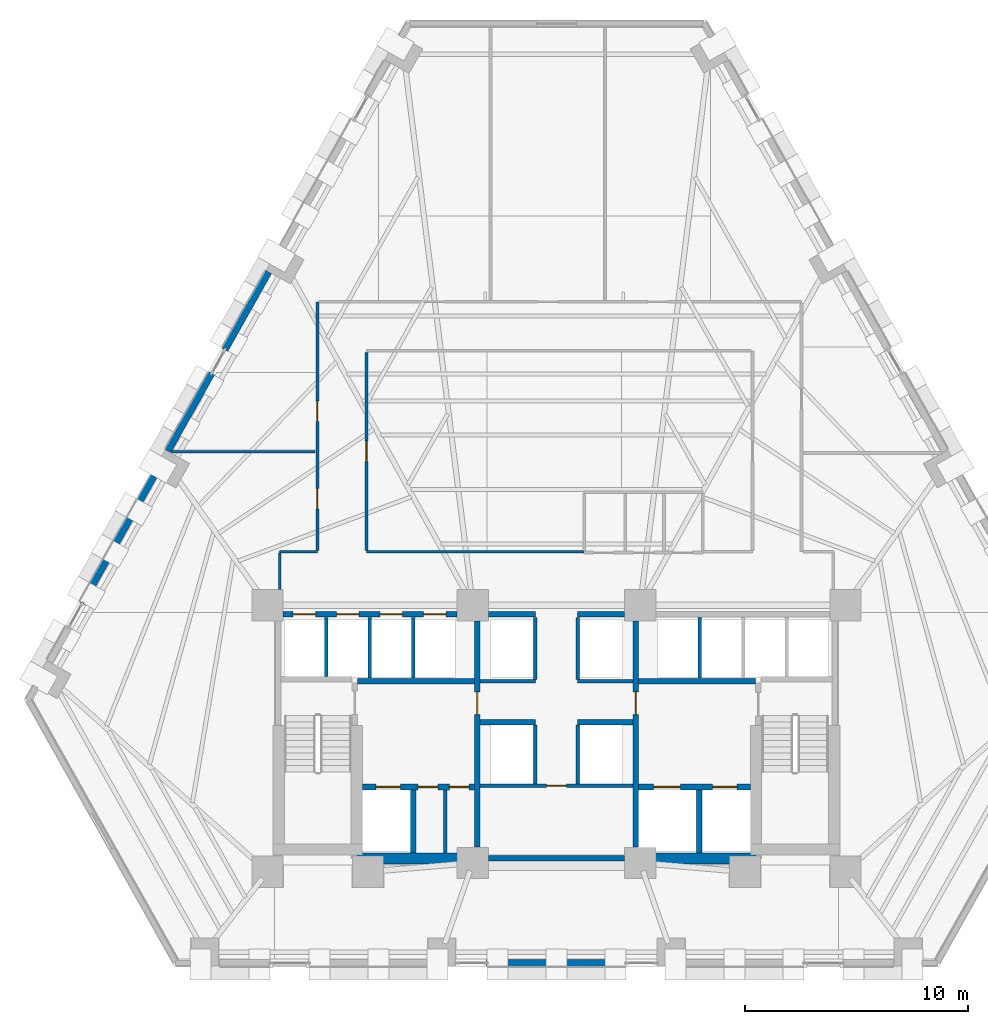
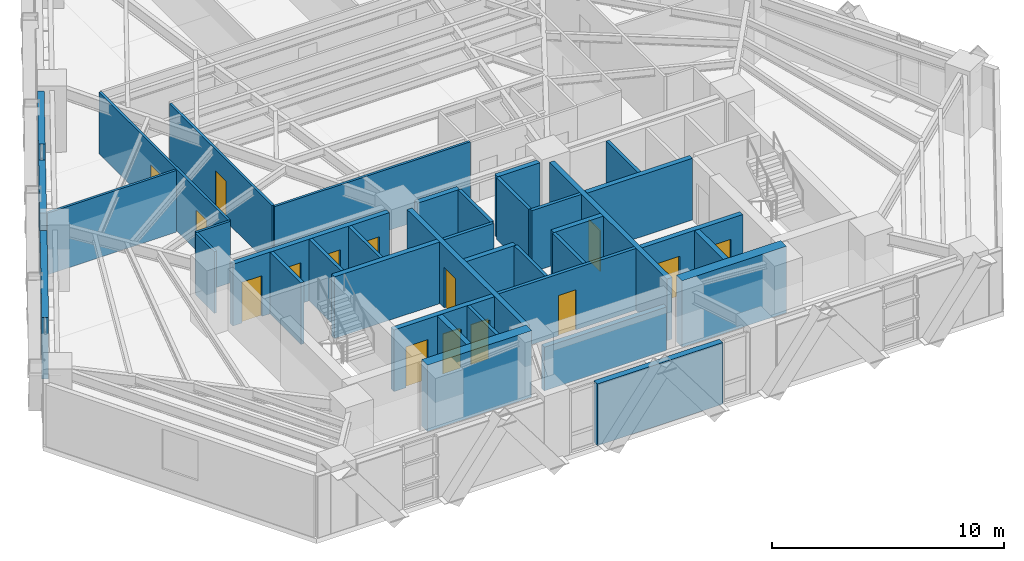
# One storey, part 7 of 13: 38 walls, 15 doors, 15 openings.
"""IFC4 building model written with IfcOpenShell, lengths in metres."""

from ifc_helpers import new_model, si_unit, direction, frame, frame_2d, origin, place, context, subcontext, project, spatial, rectangle, extrude, material, layer, layer_set, type_object, element, fill, save


model = new_model("IFC4")

# Units and contexts
model_context = context("Model", 3, precision=1e-05, world=origin(), true_north=direction((0.0, 1.0)))
body_context = subcontext(model_context, "Body", "Model", "MODEL_VIEW")
ifc_project = project(units=[si_unit("LENGTHUNIT", "METRE"), si_unit("AREAUNIT", "SQUARE_METRE"), si_unit("VOLUMEUNIT", "CUBIC_METRE"), si_unit("PLANEANGLEUNIT", "RADIAN"), si_unit("MASSUNIT", "GRAM", prefix="KILO")], contexts=[model_context])

# Site, building, storey
site_placement = place(None, origin())
site = spatial("IfcSite", under=ifc_project, at=site_placement, CompositionType="ELEMENT")
building_placement = place(site_placement, origin())
building = spatial("IfcBuilding", under=site, at=building_placement, Name="Quenlor Broadcast Tower", CompositionType="ELEMENT")
storey_placement = place(building_placement, frame((0.0, 0.0, 55.60009765625)))
storey = spatial("IfcBuildingStorey", under=building, at=storey_placement, Name="L14", CompositionType="ELEMENT", Elevation=55.60009765625)

# Walls
ifc_material_1 = material(Name="Concrete C65/80", Category="concrete")
ifc_layer_1 = layer(ifc_material_1, 0.5)
ifc_layer_set_1 = layer_set([ifc_layer_1], Name="Core Concrete C65/80 Shear Wall 500")
wall_type_1 = type_object("IfcWallType", Name="Core Concrete C65/80 Shear Wall 500", PredefinedType="SHEAR", material=ifc_layer_set_1)
for number, where, z_axis, x_axis, name in (
    (1, (-8.949951171875, -16.14990234375, 0.0), (0.0, 0.0, 1.0), (1.0, 0.0, 0.0), "L14 Core Shear Wall WS-W2"),
    (2, (3.75, -16.14990234375, 0.0), (0.0, 0.0, 1.0), (1.0, 0.0, 0.0), "L14 Core Shear Wall WS-E1"),
):
    element("IfcWall", number, at=place(storey_placement, frame(where, z_axis=z_axis, x_axis=x_axis)), inside=storey, type_object=wall_type_1, Name=name, PredefinedType="SHEAR", context=body_context, shape_type="SweptSolid", body=[
        extrude(rectangle(XDim=5.199951171875, YDim=0.5, at=frame_2d((2.60009765625, 0.0))), origin(), (0.0, 0.0, 1.0), 3.5),
    ])

# Wall, openings, doors
ifc_material_2 = material(Name="Concrete C40/50", Category="concrete")
ifc_layer_2 = layer(ifc_material_2, 0.25)
ifc_layer_set_2 = layer_set([ifc_layer_2], Name="Fire Rated Concrete C40/50 Core Wall 250")
wall_type_2 = type_object("IfcWallType", Name="Fire Rated Concrete C40/50 Core Wall 250", PredefinedType="PARTITIONING", material=ifc_layer_set_2)
wall_1_placement = place(storey_placement, frame((-8.697998046875, -12.949951171875, 0.0), z_axis=(0.0, 0.0, 1.0), x_axis=(1.0, 0.0, 0.0)))
wall_1 = element("IfcWall", 3, at=wall_1_placement, inside=storey, type_object=wall_type_2, Name="L14 Interior Wall CW-FFW-S", PredefinedType="PARTITIONING", context=body_context, shape_type="SweptSolid", body=[
    extrude(rectangle(XDim=5.01806640625, YDim=0.25, at=frame_2d((2.509033203125, 0.0))), origin(), (0.0, 0.0, 1.0), 3.25),
])
opening_1_placement = place(wall_1_placement, frame((0.597900390625, 0.0, 0.0)))
opening_1 = element("IfcOpeningElement", 4, at=opening_1_placement, cuts=wall_1, Name="Opening LD-FFL-1", PredefinedType="OPENING", context=body_context, shape_type="SweptSolid", body=[
    extrude(rectangle(XDim=1.10009765625, YDim=2.14990234375, at=frame_2d((0.550048828125, 1.074951171875))), frame((0.0, 0.135009765625, 0.0), z_axis=(0.0, -1.0, 0.0), x_axis=(1.0, 0.0, 0.0)), (0.0, 0.0, 1.0), 0.27001953125),
])
opening_2_placement = place(wall_1_placement, frame((2.498046875, 0.0, 0.0)))
opening_2 = element("IfcOpeningElement", 5, at=opening_2_placement, cuts=wall_1, Name="Opening TD-1", PredefinedType="OPENING", context=body_context, shape_type="SweptSolid", body=[
    extrude(rectangle(XDim=0.8798828125, YDim=2.10009765625, at=frame_2d((0.43994140625, 1.050048828125))), frame((0.0, 0.135009765625, 0.0), z_axis=(0.0, -1.0, 0.0), x_axis=(1.0, 0.0, 0.0)), (0.0, 0.0, 1.0), 0.27001953125),
])
opening_3_placement = place(wall_1_placement, frame((3.89794921875, 0.0, 0.0)))
opening_3 = element("IfcOpeningElement", 6, at=opening_3_placement, cuts=wall_1, Name="Opening TD-1", PredefinedType="OPENING", context=body_context, shape_type="SweptSolid", body=[
    extrude(rectangle(XDim=0.8798828125, YDim=2.10009765625, at=frame_2d((0.43994140625, 1.050048828125))), frame((0.0, 0.135009765625, 0.0), z_axis=(0.0, -1.0, 0.0), x_axis=(1.0, 0.0, 0.0)), (0.0, 0.0, 1.0), 0.27001953125),
])
ifc_material_3 = material(Name="Brushed Stainless Steel", Category="steel")
door_type_1 = type_object("IfcDoorType", Name="Emergency Lift Sliding Landing Door 1100x2150", OperationType="NOTDEFINED", PredefinedType="DOOR", material=ifc_material_3)
door_1_placement = place(opening_1_placement, origin())
door_1 = element("IfcDoor", 7, at=door_1_placement, inside=storey, type_object=door_type_1, Name="L14 Door LD-FFL-1", OperationType="SLIDING_TO_LEFT", OverallHeight=2.14990234375, OverallWidth=1.10009765625, PredefinedType="DOOR", context=body_context, shape_type="SweptSolid", body=[
    extrude(rectangle(XDim=1.10009765625, YDim=2.14990234375, at=frame_2d((0.550048828125, 1.074951171875))), frame((0.0, 0.02490234375, 0.0), z_axis=(0.0, -1.0, 0.0), x_axis=(1.0, 0.0, 0.0)), (0.0, 0.0, 1.0), 0.050048828125),
])
fill(opening_1, door_1)
ifc_material_4 = material(Name="Fire Rated Steel Access Panel", Category="steel")
door_type_2 = type_object("IfcDoorType", Name="Riser Shaft Rated Access Trapdoor 880x2100", OperationType="NOTDEFINED", PredefinedType="TRAPDOOR", material=ifc_material_4)
door_2_placement = place(opening_2_placement, origin())
door_2 = element("IfcDoor", 8, at=door_2_placement, inside=storey, type_object=door_type_2, Name="L14 Door DR-ELR", OperationType="SINGLE_SWING_LEFT", OverallHeight=2.10009765625, OverallWidth=0.8798828125, PredefinedType="TRAPDOOR", context=body_context, shape_type="SweptSolid", body=[
    extrude(rectangle(XDim=0.8798828125, YDim=2.10009765625, at=frame_2d((0.43994140625, 1.050048828125))), frame((0.0, 0.02490234375, 0.0), z_axis=(0.0, -1.0, 0.0), x_axis=(1.0, 0.0, 0.0)), (0.0, 0.0, 1.0), 0.050048828125),
])
fill(opening_2, door_2)
door_3_placement = place(opening_3_placement, origin())
door_3 = element("IfcDoor", 9, at=door_3_placement, inside=storey, type_object=door_type_2, Name="L14 Door DR-CMR", OperationType="SINGLE_SWING_RIGHT", OverallHeight=2.10009765625, OverallWidth=0.8798828125, PredefinedType="TRAPDOOR", context=body_context, shape_type="SweptSolid", body=[
    extrude(rectangle(XDim=0.8798828125, YDim=2.10009765625, at=frame_2d((0.43994140625, 1.050048828125))), frame((0.0, 0.02490234375, 0.0), z_axis=(0.0, -1.0, 0.0), x_axis=(1.0, 0.0, 0.0)), (0.0, 0.0, 1.0), 0.050048828125),
])
fill(opening_3, door_3)

wall_2_placement = place(storey_placement, frame((3.679931640625, -12.949951171875, 0.0), z_axis=(0.0, 0.0, 1.0), x_axis=(1.0, 0.0, 0.0)))
wall_2 = element("IfcWall", 10, at=wall_2_placement, inside=storey, type_object=wall_type_2, Name="L14 Interior Wall CW-FFE-S", PredefinedType="PARTITIONING", context=body_context, shape_type="SweptSolid", body=[
    extrude(rectangle(XDim=5.01806640625, YDim=0.25, at=frame_2d((2.509033203125, 0.0))), origin(), (0.0, 0.0, 1.0), 3.25),
])
opening_4_placement = place(wall_2_placement, frame((3.320068359375, 0.0, 0.0)))
opening_4 = element("IfcOpeningElement", 11, at=opening_4_placement, cuts=wall_2, Name="Opening LD-FFL-2", PredefinedType="OPENING", context=body_context, shape_type="SweptSolid", body=[
    extrude(rectangle(XDim=1.10009765625, YDim=2.14990234375, at=frame_2d((0.550048828125, 1.074951171875))), frame((0.0, 0.135009765625, 0.0), z_axis=(0.0, -1.0, 0.0), x_axis=(1.0, 0.0, 0.0)), (0.0, 0.0, 1.0), 0.27001953125),
])
opening_5_placement = place(wall_2_placement, frame((0.669921875, 0.0, 0.0)))
opening_5 = element("IfcOpeningElement", 12, at=opening_5_placement, cuts=wall_2, Name="Opening LD-SVL-1", PredefinedType="OPENING", context=body_context, shape_type="SweptSolid", body=[
    extrude(rectangle(XDim=1.199951171875, YDim=2.14990234375, at=frame_2d((0.60009765625, 1.074951171875))), frame((0.0, 0.135009765625, 0.0), z_axis=(0.0, -1.0, 0.0), x_axis=(1.0, 0.0, 0.0)), (0.0, 0.0, 1.0), 0.27001953125),
])
door_4_placement = place(opening_4_placement, origin())
door_4 = element("IfcDoor", 13, at=door_4_placement, inside=storey, type_object=door_type_1, Name="L14 Door LD-FFL-2", OperationType="SLIDING_TO_RIGHT", OverallHeight=2.14990234375, OverallWidth=1.10009765625, PredefinedType="DOOR", context=body_context, shape_type="SweptSolid", body=[
    extrude(rectangle(XDim=1.10009765625, YDim=2.14990234375, at=frame_2d((0.550048828125, 1.074951171875))), frame((0.0, 0.02490234375, 0.0), z_axis=(0.0, -1.0, 0.0), x_axis=(1.0, 0.0, 0.0)), (0.0, 0.0, 1.0), 0.050048828125),
])
fill(opening_4, door_4)
ifc_material_5 = material(Name="Brushed Stainless Steel", Category="steel")
door_type_3 = type_object("IfcDoorType", Name="Goods Lift Sliding Landing Door 1200x2150", OperationType="NOTDEFINED", PredefinedType="DOOR", material=ifc_material_5)
door_5_placement = place(opening_5_placement, origin())
door_5 = element("IfcDoor", 14, at=door_5_placement, inside=storey, type_object=door_type_3, Name="L14 Door LD-SVL-1", OperationType="SLIDING_TO_LEFT", OverallHeight=2.14990234375, OverallWidth=1.199951171875, PredefinedType="DOOR", context=body_context, shape_type="SweptSolid", body=[
    extrude(rectangle(XDim=1.199951171875, YDim=2.14990234375, at=frame_2d((0.60009765625, 1.074951171875))), frame((0.0, 0.02490234375, 0.0), z_axis=(0.0, -1.0, 0.0), x_axis=(1.0, 0.0, 0.0)), (0.0, 0.0, 1.0), 0.050048828125),
])
fill(opening_5, door_5)

# Walls
for number, where, z_axis, x_axis, name in (
    (15, (-6.419921875, -15.89794921875, 0.0), (0.0, 0.0, 1.0), (0.0, 1.0, 0.0), "L14 Interior Wall CW-FF1-E"),
    (16, (6.39990234375, -15.89794921875, 0.0), (0.0, 0.0, 1.0), (0.0, 1.0, 0.0), "L14 Interior Wall CW-SV1-E"),
):
    element("IfcWall", number, at=place(storey_placement, frame(where, z_axis=z_axis, x_axis=x_axis)), inside=storey, type_object=wall_type_2, Name=name, PredefinedType="PARTITIONING", context=body_context, shape_type="SweptSolid", body=[
        extrude(rectangle(XDim=2.807861328125, YDim=0.25, at=frame_2d((1.40380859375, 0.0))), origin(), (0.0, 0.0, 1.0), 3.25),
    ])
for number, where, z_axis, x_axis, name in (
    (17, (-8.919921875, -8.199951171875, 0.0), (0.0, 0.0, 1.0), (1.0, 0.0, 0.0), "L14 Interior Wall CW-FFW-N"),
    (18, (3.679931640625, -8.199951171875, 0.0), (0.0, 0.0, 1.0), (1.0, 0.0, 0.0), "L14 Interior Wall CW-FFE-N"),
):
    element("IfcWall", number, at=place(storey_placement, frame(where, z_axis=z_axis, x_axis=x_axis)), inside=storey, type_object=wall_type_2, Name=name, PredefinedType="PARTITIONING", context=body_context, shape_type="SweptSolid", body=[
        extrude(rectangle(XDim=5.239990234375, YDim=0.25, at=frame_2d((2.6201171875, 0.0))), origin(), (0.0, 0.0, 1.0), 3.25),
    ])

# Wall, opening, door
wall_3_placement = place(storey_placement, frame((-3.550048828125, -15.64794921875, 0.0), z_axis=(0.0, 0.0, 1.0), x_axis=(0.0, 1.0, 0.0)))
wall_3 = element("IfcWall", 19, at=wall_3_placement, inside=storey, type_object=wall_type_2, Name="L14 Interior Wall CW-FFW-E", PredefinedType="PARTITIONING", context=body_context, shape_type="SweptSolid", body=[
    extrude(rectangle(XDim=10.14599609375, YDim=0.25, at=frame_2d((5.072998046875, 0.0))), origin(), (0.0, 0.0, 1.0), 3.25),
])
opening_6_placement = place(wall_3_placement, frame((5.947998046875, 0.0, 0.0)))
opening_6 = element("IfcOpeningElement", 20, at=opening_6_placement, cuts=wall_3, Name="Opening FD-2", PredefinedType="OPENING", context=body_context, shape_type="SweptSolid", body=[
    extrude(rectangle(XDim=1.0, YDim=2.14990234375, at=frame_2d((0.5, 1.074951171875))), frame((0.0, 0.135009765625, 0.0), z_axis=(0.0, -1.0, 0.0), x_axis=(1.0, 0.0, 0.0)), (0.0, 0.0, 1.0), 0.27001953125),
])
ifc_material_6 = material(Name="Fire Rated Glazed Steel Door", Category="steel")
door_type_4 = type_object("IfcDoorType", Name="Firefighting Lobby Smoke Door 1000x2150", OperationType="NOTDEFINED", PredefinedType="DOOR", material=ifc_material_6)
door_6_placement = place(opening_6_placement, origin())
door_6 = element("IfcDoor", 21, at=door_6_placement, inside=storey, type_object=door_type_4, Name="L14 Door DR-FFLW", OperationType="SINGLE_SWING_RIGHT", OverallHeight=2.14990234375, OverallWidth=1.0, PredefinedType="DOOR", context=body_context, shape_type="SweptSolid", body=[
    extrude(rectangle(XDim=1.0, YDim=2.14990234375, at=frame_2d((0.5, 1.074951171875))), frame((0.0, 0.02490234375, 0.0), z_axis=(0.0, -1.0, 0.0), x_axis=(1.0, 0.0, 0.0)), (0.0, 0.0, 1.0), 0.050048828125),
])
fill(opening_6, door_6)

wall_4_placement = place(storey_placement, frame((3.550048828125, -15.64794921875, 0.0), z_axis=(0.0, 0.0, 1.0), x_axis=(0.0, 1.0, 0.0)))
wall_4 = element("IfcWall", 22, at=wall_4_placement, inside=storey, type_object=wall_type_2, Name="L14 Interior Wall CW-FFE-W", PredefinedType="PARTITIONING", context=body_context, shape_type="SweptSolid", body=[
    extrude(rectangle(XDim=10.14599609375, YDim=0.25, at=frame_2d((5.072998046875, 0.0))), origin(), (0.0, 0.0, 1.0), 3.25),
])
opening_7_placement = place(wall_4_placement, frame((5.947998046875, 0.0, 0.0)))
opening_7 = element("IfcOpeningElement", 23, at=opening_7_placement, cuts=wall_4, Name="Opening FD-2", PredefinedType="OPENING", context=body_context, shape_type="SweptSolid", body=[
    extrude(rectangle(XDim=1.0, YDim=2.14990234375, at=frame_2d((0.5, 1.074951171875))), frame((0.0, 0.135009765625, 0.0), z_axis=(0.0, -1.0, 0.0), x_axis=(1.0, 0.0, 0.0)), (0.0, 0.0, 1.0), 0.27001953125),
])
door_7_placement = place(opening_7_placement, origin())
door_7 = element("IfcDoor", 24, at=door_7_placement, inside=storey, type_object=door_type_4, Name="L14 Door DR-FFLE", OperationType="SINGLE_SWING_LEFT", OverallHeight=2.14990234375, OverallWidth=1.0, PredefinedType="DOOR", context=body_context, shape_type="SweptSolid", body=[
    extrude(rectangle(XDim=1.0, YDim=2.14990234375, at=frame_2d((0.5, 1.074951171875))), frame((0.0, 0.02490234375, 0.0), z_axis=(0.0, -1.0, 0.0), x_axis=(1.0, 0.0, 0.0)), (0.0, 0.0, 1.0), 0.050048828125),
])
fill(opening_7, door_7)

# Wall, openings, doors
wall_5_placement = place(storey_placement, frame((-12.248046875, -5.199951171875, 0.0), z_axis=(0.0, 0.0, 1.0), x_axis=(1.0, 0.0, 0.0)))
wall_5 = element("IfcWall", 25, at=wall_5_placement, inside=storey, type_object=wall_type_2, Name="L14 Interior Wall CW-N-W", PredefinedType="PARTITIONING", context=body_context, shape_type="SweptSolid", body=[
    extrude(rectangle(XDim=7.796142578125, YDim=0.25, at=frame_2d((3.89794921875, 0.0))), origin(), (0.0, 0.0, 1.0), 3.25),
])
opening_8_placement = place(wall_5_placement, frame((0.447998046875, 0.0, 0.0)))
opening_8 = element("IfcOpeningElement", 26, at=opening_8_placement, cuts=wall_5, Name="Opening LD-PL-L1", PredefinedType="OPENING", context=body_context, shape_type="SweptSolid", body=[
    extrude(rectangle(XDim=1.0, YDim=2.14990234375, at=frame_2d((0.5, 1.074951171875))), frame((0.0, 0.135009765625, 0.0), z_axis=(0.0, -1.0, 0.0), x_axis=(1.0, 0.0, 0.0)), (0.0, 0.0, 1.0), 0.27001953125),
])
opening_9_placement = place(wall_5_placement, frame((2.39794921875, 0.0, 0.0)))
opening_9 = element("IfcOpeningElement", 27, at=opening_9_placement, cuts=wall_5, Name="Opening LD-PL-L2", PredefinedType="OPENING", context=body_context, shape_type="SweptSolid", body=[
    extrude(rectangle(XDim=1.0, YDim=2.14990234375, at=frame_2d((0.5, 1.074951171875))), frame((0.0, 0.135009765625, 0.0), z_axis=(0.0, -1.0, 0.0), x_axis=(1.0, 0.0, 0.0)), (0.0, 0.0, 1.0), 0.27001953125),
])
opening_10_placement = place(wall_5_placement, frame((4.347900390625, 0.0, 0.0)))
opening_10 = element("IfcOpeningElement", 28, at=opening_10_placement, cuts=wall_5, Name="Opening LD-PL-L3", PredefinedType="OPENING", context=body_context, shape_type="SweptSolid", body=[
    extrude(rectangle(XDim=1.0, YDim=2.14990234375, at=frame_2d((0.5, 1.074951171875))), frame((0.0, 0.135009765625, 0.0), z_axis=(0.0, -1.0, 0.0), x_axis=(1.0, 0.0, 0.0)), (0.0, 0.0, 1.0), 0.27001953125),
])
opening_11_placement = place(wall_5_placement, frame((6.298095703125, 0.0, 0.0)))
opening_11 = element("IfcOpeningElement", 29, at=opening_11_placement, cuts=wall_5, Name="Opening LD-PL-L4", PredefinedType="OPENING", context=body_context, shape_type="SweptSolid", body=[
    extrude(rectangle(XDim=1.0, YDim=2.14990234375, at=frame_2d((0.5, 1.074951171875))), frame((0.0, 0.135009765625, 0.0), z_axis=(0.0, -1.0, 0.0), x_axis=(1.0, 0.0, 0.0)), (0.0, 0.0, 1.0), 0.27001953125),
])
ifc_material_7 = material(Name="Brushed Stainless Steel", Category="steel")
door_type_5 = type_object("IfcDoorType", Name="Passenger Lift Sliding Landing Door 1000x2150", OperationType="NOTDEFINED", PredefinedType="DOOR", material=ifc_material_7)
door_8_placement = place(opening_8_placement, origin())
door_8 = element("IfcDoor", 30, at=door_8_placement, inside=storey, type_object=door_type_5, Name="L14 Door LD-PL-L1", OperationType="SLIDING_TO_LEFT", OverallHeight=2.14990234375, OverallWidth=1.0, PredefinedType="DOOR", context=body_context, shape_type="SweptSolid", body=[
    extrude(rectangle(XDim=1.0, YDim=2.14990234375, at=frame_2d((0.5, 1.074951171875))), frame((0.0, 0.02490234375, 0.0), z_axis=(0.0, -1.0, 0.0), x_axis=(1.0, 0.0, 0.0)), (0.0, 0.0, 1.0), 0.050048828125),
])
fill(opening_8, door_8)
door_9_placement = place(opening_9_placement, origin())
door_9 = element("IfcDoor", 31, at=door_9_placement, inside=storey, type_object=door_type_5, Name="L14 Door LD-PL-L2", OperationType="SLIDING_TO_LEFT", OverallHeight=2.14990234375, OverallWidth=1.0, PredefinedType="DOOR", context=body_context, shape_type="SweptSolid", body=[
    extrude(rectangle(XDim=1.0, YDim=2.14990234375, at=frame_2d((0.5, 1.074951171875))), frame((0.0, 0.02490234375, 0.0), z_axis=(0.0, -1.0, 0.0), x_axis=(1.0, 0.0, 0.0)), (0.0, 0.0, 1.0), 0.050048828125),
])
fill(opening_9, door_9)
door_10_placement = place(opening_10_placement, origin())
door_10 = element("IfcDoor", 32, at=door_10_placement, inside=storey, type_object=door_type_5, Name="L14 Door LD-PL-L3", OperationType="SLIDING_TO_LEFT", OverallHeight=2.14990234375, OverallWidth=1.0, PredefinedType="DOOR", context=body_context, shape_type="SweptSolid", body=[
    extrude(rectangle(XDim=1.0, YDim=2.14990234375, at=frame_2d((0.5, 1.074951171875))), frame((0.0, 0.02490234375, 0.0), z_axis=(0.0, -1.0, 0.0), x_axis=(1.0, 0.0, 0.0)), (0.0, 0.0, 1.0), 0.050048828125),
])
fill(opening_10, door_10)
door_11_placement = place(opening_11_placement, origin())
door_11 = element("IfcDoor", 33, at=door_11_placement, inside=storey, type_object=door_type_5, Name="L14 Door LD-PL-L4", OperationType="SLIDING_TO_LEFT", OverallHeight=2.14990234375, OverallWidth=1.0, PredefinedType="DOOR", context=body_context, shape_type="SweptSolid", body=[
    extrude(rectangle(XDim=1.0, YDim=2.14990234375, at=frame_2d((0.5, 1.074951171875))), frame((0.0, 0.02490234375, 0.0), z_axis=(0.0, -1.0, 0.0), x_axis=(1.0, 0.0, 0.0)), (0.0, 0.0, 1.0), 0.050048828125),
])
fill(opening_11, door_11)

# Walls
for number, where, z_axis, x_axis, name in (
    (34, (-3.048095703125, -5.199951171875, 0.0), (0.0, 0.0, 1.0), (1.0, 0.0, 0.0), "L14 Interior Wall CW-N-M1"),
    (35, (0.949951171875, -5.199951171875, 0.0), (0.0, 0.0, 1.0), (1.0, 0.0, 0.0), "L14 Interior Wall CW-N-M2"),
):
    element("IfcWall", number, at=place(storey_placement, frame(where, z_axis=z_axis, x_axis=x_axis)), inside=storey, type_object=wall_type_2, Name=name, PredefinedType="PARTITIONING", context=body_context, shape_type="SweptSolid", body=[
        extrude(rectangle(XDim=2.09814453125, YDim=0.25, at=frame_2d((1.049072265625, 0.0))), origin(), (0.0, 0.0, 1.0), 3.25),
    ])
wall_6_placement = place(storey_placement, frame((-3.048095703125, -16.14990234375, 0.0), z_axis=(0.0, 0.0, 1.0), x_axis=(1.0, 0.0, 0.0)))
element("IfcWall", 36, at=wall_6_placement, inside=storey, type_object=wall_type_2, Name="L14 Interior Wall CW-MS-S", PredefinedType="PARTITIONING", context=body_context, shape_type="SweptSolid", body=[
    extrude(rectangle(XDim=6.09619140625, YDim=0.25, at=frame_2d((3.048095703125, 0.0))), origin(), (0.0, 0.0, 1.0), 2.2998046875),
])
for number, where, z_axis, x_axis, name in (
    (37, (-3.419921875, -10.050048828125, 0.0), (0.0, 0.0, 1.0), (1.0, 0.0, 0.0), "L14 Interior Wall CW-MS-N1"),
    (38, (0.949951171875, -10.050048828125, 0.0), (0.0, 0.0, 1.0), (1.0, 0.0, 0.0), "L14 Interior Wall CW-MS-N2"),
):
    element("IfcWall", number, at=place(storey_placement, frame(where, z_axis=z_axis, x_axis=x_axis)), inside=storey, type_object=wall_type_2, Name=name, PredefinedType="PARTITIONING", context=body_context, shape_type="SweptSolid", body=[
        extrude(rectangle(XDim=2.469970703125, YDim=0.25, at=frame_2d((1.23486328125, 0.0))), origin(), (0.0, 0.0, 1.0), 3.25),
    ])
ifc_material_8 = material(Name="Gypsum Fireboard Partition", Category="other")
ifc_layer_3 = layer(ifc_material_8, 0.159912109375)
ifc_layer_set_3 = layer_set([ifc_layer_3], Name="Fire Rated Shaft and Corridor Partition 160")
wall_type_3 = type_object("IfcWallType", Name="Fire Rated Shaft and Corridor Partition 160", PredefinedType="PARTITIONING", material=ifc_layer_set_3)
wall_7_placement = place(storey_placement, frame((-4.97998046875, -15.89794921875, 0.0), z_axis=(0.0, 0.0, 1.0), x_axis=(0.0, 1.0, 0.0)))
element("IfcWall", 39, at=wall_7_placement, inside=storey, type_object=wall_type_3, Name="L14 Interior Wall CW-ELR-E", PredefinedType="PARTITIONING", context=body_context, shape_type="SweptSolid", body=[
    extrude(rectangle(XDim=2.807861328125, YDim=0.159912109375, at=frame_2d((1.40380859375, 0.0))), origin(), (0.0, 0.0, 1.0), 3.25),
])
wall_8_placement = place(storey_placement, frame((-10.324951171875, -7.992919921875, 0.0), z_axis=(0.0, 0.0, 1.0), x_axis=(0.0, 1.0, 0.0)))
element("IfcWall", 40, at=wall_8_placement, inside=storey, type_object=wall_type_3, Name="L14 Interior Wall CW-PLL-D1", PredefinedType="PARTITIONING", context=body_context, shape_type="SweptSolid", body=[
    extrude(rectangle(XDim=2.65283203125, YDim=0.159912109375, at=frame_2d((1.326416015625, 0.0))), origin(), (0.0, 0.0, 1.0), 3.25),
])
for number, where, z_axis, x_axis, name in (
    (41, (-8.375, -8.072998046875, 0.0), (0.0, 0.0, 1.0), (0.0, 1.0, 0.0), "L14 Interior Wall CW-PLL-D2"),
    (42, (-6.425048828125, -8.072998046875, 0.0), (0.0, 0.0, 1.0), (0.0, 1.0, 0.0), "L14 Interior Wall CW-PLL-D3"),
    (43, (6.425048828125, -8.072998046875, 0.0), (0.0, 0.0, 1.0), (0.0, 1.0, 0.0), "L14 Interior Wall CW-PLH-D1"),
):
    element("IfcWall", number, at=place(storey_placement, frame(where, z_axis=z_axis, x_axis=x_axis)), inside=storey, type_object=wall_type_3, Name=name, PredefinedType="PARTITIONING", context=body_context, shape_type="SweptSolid", body=[
        extrude(rectangle(XDim=2.73291015625, YDim=0.159912109375, at=frame_2d((1.366455078125, 0.0))), origin(), (0.0, 0.0, 1.0), 3.25),
    ])
for number, where, z_axis, x_axis, name in (
    (44, (-0.949951171875, -8.1201171875, 0.0), (0.0, 0.0, 1.0), (0.0, 1.0, 0.0), "L14 Interior Wall CW-CCRP-W"),
    (45, (0.949951171875, -8.1201171875, 0.0), (0.0, 0.0, 1.0), (0.0, 1.0, 0.0), "L14 Interior Wall CW-CCRP-E"),
):
    element("IfcWall", number, at=place(storey_placement, frame(where, z_axis=z_axis, x_axis=x_axis)), inside=storey, type_object=wall_type_3, Name=name, PredefinedType="PARTITIONING", context=body_context, shape_type="SweptSolid", body=[
        extrude(rectangle(XDim=2.780029296875, YDim=0.159912109375, at=frame_2d((1.39013671875, 0.0))), origin(), (0.0, 0.0, 1.0), 3.25),
    ])
for number, where, z_axis, x_axis, name in (
    (46, (-3.419921875, -8.199951171875, 0.0), (0.0, 0.0, 1.0), (1.0, 0.0, 0.0), "L14 Interior Wall CW-M-BACK1"),
    (47, (0.949951171875, -8.199951171875, 0.0), (0.0, 0.0, 1.0), (1.0, 0.0, 0.0), "L14 Interior Wall CW-M-BACK2"),
):
    element("IfcWall", number, at=place(storey_placement, frame(where, z_axis=z_axis, x_axis=x_axis)), inside=storey, type_object=wall_type_3, Name=name, PredefinedType="PARTITIONING", context=body_context, shape_type="SweptSolid", body=[
        extrude(rectangle(XDim=2.469970703125, YDim=0.159912109375, at=frame_2d((1.23486328125, 0.0))), origin(), (0.0, 0.0, 1.0), 3.25),
    ])

# Wall, opening, door
wall_9_placement = place(storey_placement, frame((-3.419921875, -12.89990234375, 0.0), z_axis=(0.0, 0.0, 1.0), x_axis=(1.0, 0.0, 0.0)))
wall_9 = element("IfcWall", 48, at=wall_9_placement, inside=storey, type_object=wall_type_3, Name="L14 Interior Wall CW-MS-B", PredefinedType="PARTITIONING", context=body_context, shape_type="SweptSolid", body=[
    extrude(rectangle(XDim=6.83984375, YDim=0.159912109375, at=frame_2d((3.419921875, 0.0))), origin(), (0.0, 0.0, 1.0), 3.25),
])
opening_12_placement = place(wall_9_placement, frame((2.97998046875, 0.0, 0.0)))
opening_12 = element("IfcOpeningElement", 49, at=opening_12_placement, cuts=wall_9, Name="Opening ID-4", PredefinedType="OPENING", context=body_context, shape_type="SweptSolid", body=[
    extrude(rectangle(XDim=0.8798828125, YDim=2.1201171875, at=frame_2d((0.43994140625, 1.06005859375))), frame((0.0, 0.08984375, 0.0), z_axis=(0.0, -1.0, 0.0), x_axis=(1.0, 0.0, 0.0)), (0.0, 0.0, 1.0), 0.179931640625),
])
ifc_material_9 = material(Name="Solid Core Timber Oak", Category="wood")
door_type_6 = type_object("IfcDoorType", Name="Service Closet Timber Door 880x2120", OperationType="NOTDEFINED", PredefinedType="DOOR", material=ifc_material_9)
door_12_placement = place(opening_12_placement, origin())
door_12 = element("IfcDoor", 50, at=door_12_placement, inside=storey, type_object=door_type_6, Name="L14 Door DR-CSV0", OperationType="SINGLE_SWING_LEFT", OverallHeight=2.1201171875, OverallWidth=0.8798828125, PredefinedType="DOOR", context=body_context, shape_type="SweptSolid", body=[
    extrude(rectangle(XDim=0.8798828125, YDim=2.1201171875, at=frame_2d((0.43994140625, 1.06005859375))), frame((0.0, 0.02490234375, 0.0), z_axis=(0.0, -1.0, 0.0), x_axis=(1.0, 0.0, 0.0)), (0.0, 0.0, 1.0), 0.050048828125),
])
fill(opening_12, door_12)

# Walls
for number, where, z_axis, x_axis, name in (
    (51, (-0.949951171875, -12.818115234375, 0.0), (0.0, 0.0, 1.0), (0.0, 1.0, 0.0), "L14 Interior Wall CW-MS-W"),
    (52, (0.949951171875, -12.818115234375, 0.0), (0.0, 0.0, 1.0), (0.0, 1.0, 0.0), "L14 Interior Wall CW-MS-E"),
):
    element("IfcWall", number, at=place(storey_placement, frame(where, z_axis=z_axis, x_axis=x_axis)), inside=storey, type_object=wall_type_3, Name=name, PredefinedType="PARTITIONING", context=body_context, shape_type="SweptSolid", body=[
        extrude(rectangle(XDim=2.63818359375, YDim=0.159912109375, at=frame_2d((1.319091796875, 0.0))), origin(), (0.0, 0.0, 1.0), 3.25),
    ])
ifc_material_10 = material(Name="Gypsum Plasterboard Partition", Category="other")
ifc_layer_4 = layer(ifc_material_10, 0.1201171875)
ifc_layer_set_4 = layer_set([ifc_layer_4], Name="Standard Office Partition 120")
wall_type_4 = type_object("IfcWallType", Name="Standard Office Partition 120", PredefinedType="PARTITIONING", material=ifc_layer_set_4)
wall_10_placement = place(storey_placement, frame((-12.409912109375, -2.39990234375, 0.0), z_axis=(0.0, 0.0, 1.0), x_axis=(1.0, 0.0, 0.0)))
element("IfcWall", 53, at=wall_10_placement, inside=storey, type_object=wall_type_4, Name="L14 Interior Wall PW-CR-01", PredefinedType="PARTITIONING", context=body_context, shape_type="SweptSolid", body=[
    extrude(rectangle(XDim=1.69482421875, YDim=0.1201171875, at=frame_2d((0.847412109375, 0.0))), origin(), (0.0, 0.0, 1.0), 3.25),
])

# Wall, openings, doors
wall_11_placement = place(storey_placement, frame((-10.715087890625, -2.337890625, 0.0), z_axis=(0.0, 0.0, 1.0), x_axis=(0.0, 1.0, 0.0)))
wall_11 = element("IfcWall", 54, at=wall_11_placement, inside=storey, type_object=wall_type_4, Name="L14 Interior Wall PW-CR-02", PredefinedType="PARTITIONING", context=body_context, shape_type="SweptSolid", body=[
    extrude(rectangle(XDim=11.137939453125, YDim=0.1201171875, at=frame_2d((5.56884765625, 0.0))), origin(), (0.0, 0.0, 1.0), 3.25),
])
opening_13_placement = place(wall_11_placement, frame((5.778076171875, 0.0, 0.0)))
opening_13 = element("IfcOpeningElement", 55, at=opening_13_placement, cuts=wall_11, Name="Opening ID-1", PredefinedType="OPENING", context=body_context, shape_type="SweptSolid", body=[
    extrude(rectangle(XDim=0.919921875, YDim=2.1201171875, at=frame_2d((0.4599609375, 1.06005859375))), frame((0.0, 0.070068359375, 0.0), z_axis=(0.0, -1.0, 0.0), x_axis=(1.0, 0.0, 0.0)), (0.0, 0.0, 1.0), 0.14013671875),
])
opening_14_placement = place(wall_11_placement, frame((1.846923828125, 0.0, 0.0)))
opening_14 = element("IfcOpeningElement", 56, at=opening_14_placement, cuts=wall_11, Name="Opening ID-1", PredefinedType="OPENING", context=body_context, shape_type="SweptSolid", body=[
    extrude(rectangle(XDim=0.919921875, YDim=2.1201171875, at=frame_2d((0.4599609375, 1.06005859375))), frame((0.0, 0.070068359375, 0.0), z_axis=(0.0, -1.0, 0.0), x_axis=(1.0, 0.0, 0.0)), (0.0, 0.0, 1.0), 0.14013671875),
])
ifc_material_11 = material(Name="Solid Core Timber Oak", Category="wood")
door_type_7 = type_object("IfcDoorType", Name="Single Leaf Timber Office Door 920x2120", OperationType="NOTDEFINED", PredefinedType="DOOR", material=ifc_material_11)
door_13_placement = place(opening_13_placement, origin())
door_13 = element("IfcDoor", 57, at=door_13_placement, inside=storey, type_object=door_type_7, Name="L14 Door DR-RM05", OperationType="SINGLE_SWING_LEFT", OverallHeight=2.1201171875, OverallWidth=0.919921875, PredefinedType="DOOR", context=body_context, shape_type="SweptSolid", body=[
    extrude(rectangle(XDim=0.919921875, YDim=2.1201171875, at=frame_2d((0.4599609375, 1.06005859375))), frame((0.0, 0.02490234375, 0.0), z_axis=(0.0, -1.0, 0.0), x_axis=(1.0, 0.0, 0.0)), (0.0, 0.0, 1.0), 0.050048828125),
])
fill(opening_13, door_13)
door_14_placement = place(opening_14_placement, origin())
door_14 = element("IfcDoor", 58, at=door_14_placement, inside=storey, type_object=door_type_7, Name="L14 Door DR-RM08", OperationType="SINGLE_SWING_RIGHT", OverallHeight=2.1201171875, OverallWidth=0.919921875, PredefinedType="DOOR", context=body_context, shape_type="SweptSolid", body=[
    extrude(rectangle(XDim=0.919921875, YDim=2.1201171875, at=frame_2d((0.4599609375, 1.06005859375))), frame((0.0, 0.02490234375, 0.0), z_axis=(0.0, -1.0, 0.0), x_axis=(1.0, 0.0, 0.0)), (0.0, 0.0, 1.0), 0.050048828125),
])
fill(opening_14, door_14)

# Walls
wall_12_placement = place(storey_placement, frame((-12.409912109375, -4.097900390625, 0.0), z_axis=(0.0, 0.0, 1.0), x_axis=(0.0, 1.0, 0.0)))
element("IfcWall", 59, at=wall_12_placement, inside=storey, type_object=wall_type_4, Name="L14 Interior Wall PW-CR-07", PredefinedType="PARTITIONING", context=body_context, shape_type="SweptSolid", body=[
    extrude(rectangle(XDim=1.635986328125, YDim=0.1201171875, at=frame_2d((0.81787109375, 0.0))), origin(), (0.0, 0.0, 1.0), 3.25),
])
wall_13_placement = place(storey_placement, frame((-8.514892578125, -2.39990234375, 0.0), z_axis=(0.0, 0.0, 1.0), x_axis=(1.0, 0.0, 0.0)))
element("IfcWall", 60, at=wall_13_placement, inside=storey, type_object=wall_type_4, Name="L14 Interior Wall PW-CR-08", PredefinedType="PARTITIONING", context=body_context, shape_type="SweptSolid", body=[
    extrude(rectangle(XDim=9.7529296875, YDim=0.1201171875, at=frame_2d((4.87646484375, 0.0))), origin(), (0.0, 0.0, 1.0), 3.25),
])

# Wall, opening, door
wall_14_placement = place(storey_placement, frame((-8.514892578125, 6.5380859375, 0.0), z_axis=(0.0, 0.0, 1.0), x_axis=(0.0, -1.0, 0.0)))
wall_14 = element("IfcWall", 61, at=wall_14_placement, inside=storey, type_object=wall_type_4, Name="L14 Interior Wall PW-CR-11", PredefinedType="PARTITIONING", context=body_context, shape_type="SweptSolid", body=[
    extrude(rectangle(XDim=8.8759765625, YDim=0.1201171875, at=frame_2d((4.43798828125, 0.0))), origin(), (0.0, 0.0, 1.0), 3.25),
])
opening_15_placement = place(wall_14_placement, frame((3.97802734375, 0.0, 0.0)))
opening_15 = element("IfcOpeningElement", 62, at=opening_15_placement, cuts=wall_14, Name="Opening ID-1", PredefinedType="OPENING", context=body_context, shape_type="SweptSolid", body=[
    extrude(rectangle(XDim=0.919921875, YDim=2.1201171875, at=frame_2d((0.4599609375, 1.06005859375))), frame((0.0, 0.070068359375, 0.0), z_axis=(0.0, -1.0, 0.0), x_axis=(1.0, 0.0, 0.0)), (0.0, 0.0, 1.0), 0.14013671875),
])
door_15_placement = place(opening_15_placement, origin())
door_15 = element("IfcDoor", 63, at=door_15_placement, inside=storey, type_object=door_type_7, Name="L14 Door DR-RM07", OperationType="SINGLE_SWING_LEFT", OverallHeight=2.1201171875, OverallWidth=0.919921875, PredefinedType="DOOR", context=body_context, shape_type="SweptSolid", body=[
    extrude(rectangle(XDim=0.919921875, YDim=2.1201171875, at=frame_2d((0.4599609375, 1.06005859375))), frame((0.0, 0.02490234375, 0.0), z_axis=(0.0, -1.0, 0.0), x_axis=(1.0, 0.0, 0.0)), (0.0, 0.0, 1.0), 0.050048828125),
])
fill(opening_15, door_15)

# Walls
wall_15_placement = place(storey_placement, frame((-10.824951171875, 2.080078125, 0.0), z_axis=(0.0, 0.0, 1.0), x_axis=(-1.0, 0.0, 0.0)))
element("IfcWall", 64, at=wall_15_placement, inside=storey, type_object=wall_type_4, Name="L14 Interior Wall PW-DV-04", PredefinedType="PARTITIONING", context=body_context, shape_type="SweptSolid", body=[
    extrude(rectangle(XDim=6.4345703125, YDim=0.1201171875, at=frame_2d((3.21728515625, 0.0))), origin(), (0.0, 0.0, 1.0), 3.25),
])
ifc_material_12 = material(Name="Precast concrete C40/50", Category="concrete")
ifc_layer_5 = layer(ifc_material_12, 0.300048828125)
ifc_layer_set_5 = layer_set([ifc_layer_5], Name="Terracotta Precast Concrete C40/50 Spandrel Wall 300")
wall_type_5 = type_object("IfcWallType", Name="Terracotta Precast Concrete C40/50 Spandrel Wall 300", PredefinedType="STANDARD", material=ifc_layer_set_5)
wall_16_placement = place(storey_placement, frame((3.126220703125, -20.840087890625, 0.0), z_axis=(0.0, 0.0, 1.0), x_axis=(-1.0, 0.0, 0.0)))
element("IfcWall", 65, at=wall_16_placement, inside=storey, type_object=wall_type_5, Name="L14 Exterior Wall L14-S-SP1", PredefinedType="STANDARD", context=body_context, shape_type="SweptSolid", body=[
    extrude(rectangle(XDim=6.25244140625, YDim=0.300048828125, at=frame_2d((3.126220703125, 0.0))), origin(), (0.0, 0.0, 1.0), 3.25),
])
wall_17_placement = place(storey_placement, frame((-21.258056640625, -4.718505859375, 0.0), z_axis=(0.0, 0.0, 1.0), x_axis=(0.490254155105, 0.871579522133, 0.0)))
element("IfcWall", 66, at=wall_17_placement, inside=storey, type_object=wall_type_5, Name="L14 Exterior Wall L14-NWA-SP2", PredefinedType="STANDARD", context=body_context, shape_type="SweptSolid", body=[
    extrude(rectangle(XDim=6.544677734375, YDim=0.300048828125, at=frame_2d((3.2724609375, 0.0))), origin(), (0.0, 0.0, 1.0), 3.25),
])
for number, where, z_axis, x_axis, name in (
    (67, (-17.414794921875, 2.1142578125, 0.0), (0.0, 0.0, 1.0), (0.490275749717, 0.871567375043, 0.0), "L14 Exterior Wall L14-NW-SP1"),
    (68, (-14.864501953125, 6.647705078125, 0.0), (0.0, 0.0, 1.0), (0.490275749717, 0.871567375043, 0.0), "L14 Exterior Wall L14-NW-SP2"),
):
    element("IfcWall", number, at=place(storey_placement, frame(where, z_axis=z_axis, x_axis=x_axis)), inside=storey, type_object=wall_type_5, Name=name, PredefinedType="STANDARD", context=body_context, shape_type="SweptSolid", body=[
        extrude(rectangle(XDim=3.994140625, YDim=0.300048828125, at=frame_2d((1.9970703125, 0.0))), origin(), (0.0, 0.0, 1.0), 3.25),
    ])

save(model, "model.ifc")
